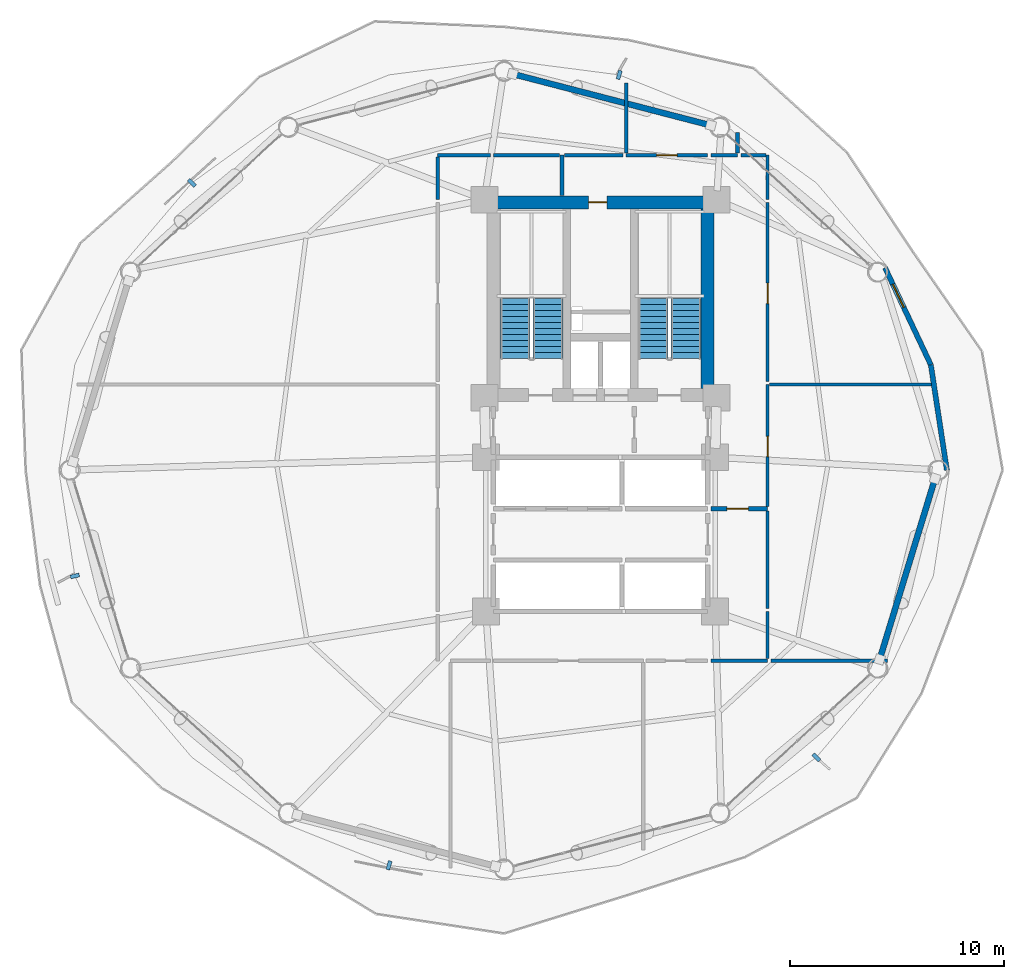
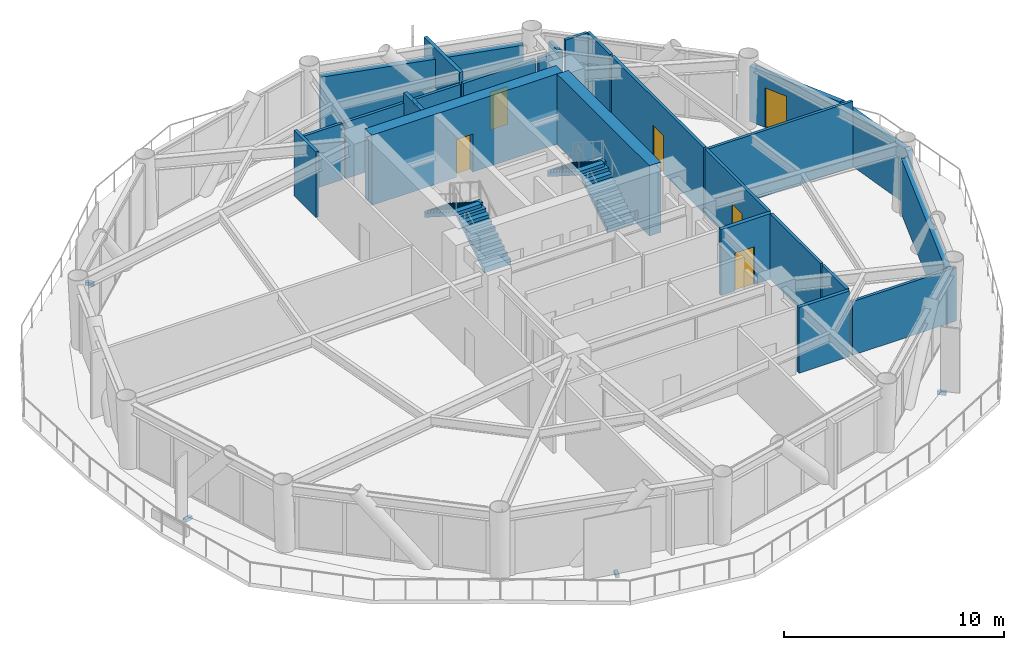
# One storey, part 20 of 23: 25 walls, 6 doors, 5 discrete accessories, 4 stair flights, 6 openings, 2 elements without a shape of their own.
"""IFC4 building model written with IfcOpenShell, lengths in metres."""

from ifc_helpers import new_model, si_unit, direction, frame, frame_2d, origin, origin_2d, place, context, subcontext, project, spatial, polyline, rectangle, outline, extrude, source, transform, mapped, material, layer, layer_set, type_object, type_shapes, element, fill, aggregate, save


model = new_model("IFC4")

# Units and contexts
model_context = context("Model", 3, precision=1e-05, world=origin(), true_north=direction((0.0, 1.0)))
body_context = subcontext(model_context, "Body", "Model", "MODEL_VIEW")
ifc_project = project(units=[si_unit("LENGTHUNIT", "METRE"), si_unit("AREAUNIT", "SQUARE_METRE"), si_unit("VOLUMEUNIT", "CUBIC_METRE"), si_unit("PLANEANGLEUNIT", "RADIAN"), si_unit("MASSUNIT", "GRAM", prefix="KILO")], contexts=[model_context])

# Site, building, storey
site_placement = place(None, origin())
site = spatial("IfcSite", under=ifc_project, at=site_placement, CompositionType="ELEMENT")
building_placement = place(site_placement, origin())
building = spatial("IfcBuilding", under=site, at=building_placement, Name="Varnakorn Sky Granary", CompositionType="ELEMENT")
storey_placement = place(building_placement, frame((0.0, 0.0, 31.5)))
storey = spatial("IfcBuildingStorey", under=building, at=storey_placement, Name="L07", CompositionType="ELEMENT", Elevation=31.5)

# Wall, opening, door
ifc_material_1 = material(Name="Concrete C60/75", Category="concrete")
ifc_layer_1 = layer(ifc_material_1, 0.60009765625, Name="Concrete C60/75")
ifc_layer_set_1 = layer_set([ifc_layer_1], Name="Concrete C60/75")
wall_type_1 = type_object("IfcWallType", Name="WT-CW-SHEAR-600", PredefinedType="SHEAR", material=ifc_layer_set_1)
wall_1_placement = place(storey_placement, frame((-2.0, 12.5, 0.0), z_axis=(0.0, 0.0, 1.0), x_axis=(1.0, 0.0, 0.0)))
wall_1 = element("IfcWall", 1, at=wall_1_placement, inside=storey, type_object=wall_type_1, Name="Core North Shear Wall L07", PredefinedType="SHEAR", context=body_context, shape_type="SweptSolid", body=[
    extrude(rectangle(XDim=10.0, YDim=0.60009765625, at=frame_2d((5.0, 0.0))), origin(), (0.0, 0.0, 1.0), 3.89208984375),
])
opening_1_placement = place(wall_1_placement, frame((4.449951171875, 0.0, 0.0)))
opening_1 = element("IfcOpeningElement", 2, at=opening_1_placement, cuts=wall_1, Name="Opening FD-60N", PredefinedType="OPENING", context=body_context, shape_type="SweptSolid", body=[
    extrude(rectangle(XDim=0.85009765625, YDim=2.10009765625, at=frame_2d((0.425048828125, 1.050048828125))), frame((0.0, 0.31005859375, 0.0), z_axis=(0.0, -1.0, 0.0), x_axis=(1.0, 0.0, 0.0)), (0.0, 0.0, 1.0), 0.6201171875),
])
ifc_material_2 = material(Name="Acoustic Timber Fire Leaf", Category="wood")
door_type_1 = type_object("IfcDoorType", Name="DR-FD60-850", OperationType="NOTDEFINED", PredefinedType="DOOR", material=ifc_material_2)
door_1_placement = place(opening_1_placement, origin())
door_1 = element("IfcDoor", 3, at=door_1_placement, inside=storey, type_object=door_type_1, Name="Core North Service Door L07", OperationType="SINGLE_SWING_LEFT", OverallHeight=2.10009765625, OverallWidth=0.85009765625, PredefinedType="DOOR", context=body_context, shape_type="SweptSolid", body=[
    extrude(rectangle(XDim=0.85009765625, YDim=2.10009765625, at=frame_2d((0.425048828125, 1.050048828125))), frame((0.0, 0.02490234375, 0.0), z_axis=(0.0, -1.0, 0.0), x_axis=(1.0, 0.0, 0.0)), (0.0, 0.0, 1.0), 0.050048828125),
])
fill(opening_1, door_1)

# Walls
wall_2_placement = place(storey_placement, frame((8.0, 3.81005859375, 0.0), z_axis=(0.0, 0.0, 1.0), x_axis=(0.0, 1.0, 0.0)))
element("IfcWall", 4, at=wall_2_placement, inside=storey, type_object=wall_type_1, Name="Core East Shear Wall L07", PredefinedType="SHEAR", context=body_context, shape_type="SweptSolid", body=[
    extrude(rectangle(XDim=8.3798828125, YDim=0.60009765625, at=frame_2d((4.18994140625, 0.0))), origin(), (0.0, 0.0, 1.0), 3.89208984375),
])
ifc_material_3 = material(Name="Precast concrete C40/50", Category="concrete")
ifc_layer_2 = layer(ifc_material_3, 0.239990234375, Name="Precast concrete C40/50")
ifc_layer_set_2 = layer_set([ifc_layer_2], Name="Precast concrete C40/50")
wall_type_2 = type_object("IfcWallType", Name="WT-EW-BAL-260", PredefinedType="SOLIDWALL", material=ifc_layer_set_2)
wall_3_placement = place(storey_placement, frame((18.42041015625, 4.91259765625, 0.0), z_axis=(0.0, 0.0, 1.0), x_axis=(0.150439909191, -0.988619155045, 0.0)))
element("IfcWall", 5, at=wall_3_placement, inside=storey, type_object=wall_type_2, Name="Balcony Threshold Facade Wall L07-B01A", PredefinedType="SOLIDWALL", context=body_context, shape_type="SweptSolid", body=[
    extrude(rectangle(XDim=4.96923828125, YDim=0.239990234375, at=frame_2d((2.484619140625, 0.0))), origin(), (0.0, 0.0, 1.0), 3.06005859375),
])

# Wall, opening, door
wall_4_placement = place(storey_placement, frame((16.281982421875, 9.445556640625, 0.0), z_axis=(0.0, 0.0, 1.0), x_axis=(0.426657768769, -0.904413151358, 0.0)))
wall_4 = element("IfcWall", 6, at=wall_4_placement, inside=storey, type_object=wall_type_2, Name="Balcony Return Facade Wall L07-B01B", PredefinedType="SOLIDWALL", context=body_context, shape_type="SweptSolid", body=[
    extrude(rectangle(XDim=5.011962890625, YDim=0.239990234375, at=frame_2d((2.505859375, 0.0))), origin(), (0.0, 0.0, 1.0), 3.06005859375),
])
opening_2_placement = place(wall_4_placement, frame((0.85009765625, 0.0, 0.0)))
opening_2 = element("IfcOpeningElement", 7, at=opening_2_placement, cuts=wall_4, Name="Opening BD-01", PredefinedType="OPENING", context=body_context, shape_type="SweptSolid", body=[
    extrude(rectangle(XDim=1.199951171875, YDim=2.199951171875, at=frame_2d((0.60009765625, 1.10009765625))), frame((0.0, 0.1298828125, 0.0), z_axis=(0.0, -1.0, 0.0), x_axis=(1.0, 0.0, 0.0)), (0.0, 0.0, 1.0), 0.260009765625),
])
ifc_material_4 = material(Name="Anodised Bronze Aluminium Alloy 6063-T6", Category="aluminium")
door_type_2 = type_object("IfcDoorType", Name="DR-BAL-1200", OperationType="NOTDEFINED", PredefinedType="DOOR", material=ifc_material_4)
door_2_placement = place(opening_2_placement, origin())
door_2 = element("IfcDoor", 8, at=door_2_placement, inside=storey, type_object=door_type_2, Name="Sky-Farm Balcony Access Door L07", OperationType="SINGLE_SWING_LEFT", OverallHeight=2.199951171875, OverallWidth=1.199951171875, PredefinedType="DOOR", context=body_context, shape_type="SweptSolid", body=[
    extrude(rectangle(XDim=1.199951171875, YDim=2.199951171875, at=frame_2d((0.60009765625, 1.10009765625))), frame((0.0, 0.02490234375, 0.0), z_axis=(0.0, -1.0, 0.0), x_axis=(1.0, 0.0, 0.0)), (0.0, 0.0, 1.0), 0.050048828125),
])
fill(opening_2, door_2)

# Walls
ifc_layer_3 = layer(ifc_material_3, 0.280029296875, Name="Precast concrete C40/50")
ifc_layer_set_3 = layer_set([ifc_layer_3], Name="Precast concrete C40/50")
wall_type_3 = type_object("IfcWallType", Name="WT-EW-CRN-280", PredefinedType="SOLIDWALL", material=ifc_layer_set_3)
wall_5_placement = place(storey_placement, frame((-1.101318359375, 18.492431640625, 0.0), z_axis=(0.0, 0.0, 1.0), x_axis=(0.967947019929, -0.251154467629, 0.0)))
element("IfcWall", 9, at=wall_5_placement, inside=storey, type_object=wall_type_3, Name="Agritech Insulated Precast Facade Wall L07-P03", PredefinedType="SOLIDWALL", context=body_context, shape_type="SweptSolid", body=[
    extrude(rectangle(XDim=9.560302734375, YDim=0.280029296875, at=frame_2d((4.7802734375, 0.0))), origin(), (0.0, 0.0, 1.0), 3.06005859375),
])
wall_6_placement = place(storey_placement, frame((18.6171875, -0.393798828125, 0.0), z_axis=(0.0, 0.0, 1.0), x_axis=(-0.292933523891, -0.956132810116, 0.0)))
element("IfcWall", 10, at=wall_6_placement, inside=storey, type_object=wall_type_3, Name="Agritech Insulated Precast Facade Wall L07-P12", PredefinedType="SOLIDWALL", context=body_context, shape_type="SweptSolid", body=[
    extrude(rectangle(XDim=8.830322265625, YDim=0.280029296875, at=frame_2d((4.4150390625, 0.0))), origin(), (0.0, 0.0, 1.0), 3.06005859375),
])

# Wall, opening, door
ifc_material_5 = material(Name="Autoclaved Aerated Concrete Blockwork", Category="masonry")
ifc_layer_4 = layer(ifc_material_5, 0.199951171875, Name="Autoclaved Aerated Concrete Blockwork")
ifc_layer_set_4 = layer_set([ifc_layer_4], Name="Autoclaved Aerated Concrete Blockwork")
wall_type_4 = type_object("IfcWallType", Name="WT-FIRE-200", PredefinedType="MOVABLE", material=ifc_layer_set_4)
wall_7_placement = place(storey_placement, frame((8.159912109375, -1.800048828125, 0.0), z_axis=(0.0, 0.0, 1.0), x_axis=(1.0, 0.0, 0.0)))
wall_7 = element("IfcWall", 11, at=wall_7_placement, inside=storey, type_object=wall_type_4, Name="Interior Partition Wall L07-021", PredefinedType="MOVABLE", context=body_context, shape_type="SweptSolid", body=[
    extrude(rectangle(XDim=2.64013671875, YDim=0.199951171875, at=frame_2d((1.320068359375, 0.0))), origin(), (0.0, 0.0, 1.0), 3.639892578125),
])
opening_3_placement = place(wall_7_placement, frame((0.739990234375, 0.0, 0.0)))
opening_3 = element("IfcOpeningElement", 12, at=opening_3_placement, cuts=wall_7, Name="Opening FD-60", PredefinedType="OPENING", context=body_context, shape_type="SweptSolid", body=[
    extrude(rectangle(XDim=1.0, YDim=2.10009765625, at=frame_2d((0.5, 1.050048828125))), frame((0.0, 0.10986328125, 0.0), z_axis=(0.0, -1.0, 0.0), x_axis=(1.0, 0.0, 0.0)), (0.0, 0.0, 1.0), 0.219970703125),
])
door_type_3 = type_object("IfcDoorType", Name="DR-FD60-1000", OperationType="NOTDEFINED", PredefinedType="DOOR", material=ifc_material_2)
door_3_placement = place(opening_3_placement, origin())
door_3 = element("IfcDoor", 13, at=door_3_placement, inside=storey, type_object=door_type_3, Name="Interior Door L07-021-1", OperationType="SINGLE_SWING_LEFT", OverallHeight=2.10009765625, OverallWidth=1.0, PredefinedType="DOOR", context=body_context, shape_type="SweptSolid", body=[
    extrude(rectangle(XDim=1.0, YDim=2.10009765625, at=frame_2d((0.5, 1.050048828125))), frame((0.0, 0.02490234375, 0.0), z_axis=(0.0, -1.0, 0.0), x_axis=(1.0, 0.0, 0.0)), (0.0, 0.0, 1.0), 0.050048828125),
])
fill(opening_3, door_3)

# Wall
wall_8_placement = place(storey_placement, frame((1.199951171875, 14.699951171875, 0.0), z_axis=(0.0, 0.0, 1.0), x_axis=(0.0, -1.0, 0.0)))
element("IfcWall", 14, at=wall_8_placement, inside=storey, type_object=wall_type_4, Name="Interior Partition Wall L07-030", PredefinedType="MOVABLE", context=body_context, shape_type="SweptSolid", body=[
    extrude(rectangle(XDim=1.889892578125, YDim=0.199951171875, at=frame_2d((0.94482421875, 0.0))), origin(), (0.0, 0.0, 1.0), 3.639892578125),
])

# Wall, opening, door
ifc_material_6 = material(Name="Gypsum Plasterboard on Steel Stud", Category="steel")
ifc_layer_5 = layer(ifc_material_6, 0.14990234375, Name="Gypsum Plasterboard on Steel Stud")
ifc_layer_set_5 = layer_set([ifc_layer_5], Name="Gypsum Plasterboard on Steel Stud")
wall_type_5 = type_object("IfcWallType", Name="WT-PART-150", PredefinedType="PARTITIONING", material=ifc_layer_set_5)
wall_9_placement = place(storey_placement, frame((10.800048828125, -1.68994140625, 0.0), z_axis=(0.0, 0.0, 1.0), x_axis=(0.0, 1.0, 0.0)))
wall_9 = element("IfcWall", 15, at=wall_9_placement, inside=storey, type_object=wall_type_5, Name="Interior Partition Wall L07-026", PredefinedType="PARTITIONING", context=body_context, shape_type="SweptSolid", body=[
    extrude(rectangle(XDim=5.68994140625, YDim=0.14990234375, at=frame_2d((2.844970703125, 0.0))), origin(), (0.0, 0.0, 1.0), 3.639892578125),
])
opening_4_placement = place(wall_9_placement, frame((2.31494140625, 0.0, 0.0)))
opening_4 = element("IfcOpeningElement", 16, at=opening_4_placement, cuts=wall_9, Name="Opening ID-95", PredefinedType="OPENING", context=body_context, shape_type="SweptSolid", body=[
    extrude(rectangle(XDim=0.949951171875, YDim=2.10009765625, at=frame_2d((0.47509765625, 1.050048828125))), frame((0.0, 0.0849609375, 0.0), z_axis=(0.0, -1.0, 0.0), x_axis=(1.0, 0.0, 0.0)), (0.0, 0.0, 1.0), 0.169921875),
])
ifc_material_7 = material(Name="Solid-Core Teak Veneer Leaf", Category="timber")
door_type_4 = type_object("IfcDoorType", Name="DR-INT-950", OperationType="NOTDEFINED", PredefinedType="DOOR", material=ifc_material_7)
door_4_placement = place(opening_4_placement, origin())
door_4 = element("IfcDoor", 17, at=door_4_placement, inside=storey, type_object=door_type_4, Name="Interior Door L07-026-1", OperationType="SINGLE_SWING_RIGHT", OverallHeight=2.10009765625, OverallWidth=0.949951171875, PredefinedType="DOOR", context=body_context, shape_type="SweptSolid", body=[
    extrude(rectangle(XDim=0.949951171875, YDim=2.10009765625, at=frame_2d((0.47509765625, 1.050048828125))), frame((0.0, 0.02490234375, 0.0), z_axis=(0.0, -1.0, 0.0), x_axis=(1.0, 0.0, 0.0)), (0.0, 0.0, 1.0), 0.050048828125),
])
fill(opening_4, door_4)

wall_10_placement = place(storey_placement, frame((10.800048828125, 4.135009765625, 0.0), z_axis=(0.0, 0.0, 1.0), x_axis=(0.0, 1.0, 0.0)))
wall_10 = element("IfcWall", 18, at=wall_10_placement, inside=storey, type_object=wall_type_5, Name="Interior Partition Wall L07-028", PredefinedType="PARTITIONING", context=body_context, shape_type="SweptSolid", body=[
    extrude(rectangle(XDim=8.364990234375, YDim=0.14990234375, at=frame_2d((4.1826171875, 0.0))), origin(), (0.0, 0.0, 1.0), 3.639892578125),
])
opening_5_placement = place(wall_10_placement, frame((3.639892578125, 0.0, 0.0)))
opening_5 = element("IfcOpeningElement", 19, at=opening_5_placement, cuts=wall_10, Name="Opening ID-95", PredefinedType="OPENING", context=body_context, shape_type="SweptSolid", body=[
    extrude(rectangle(XDim=0.949951171875, YDim=2.10009765625, at=frame_2d((0.47509765625, 1.050048828125))), frame((0.0, 0.0849609375, 0.0), z_axis=(0.0, -1.0, 0.0), x_axis=(1.0, 0.0, 0.0)), (0.0, 0.0, 1.0), 0.169921875),
])
door_5_placement = place(opening_5_placement, origin())
door_5 = element("IfcDoor", 20, at=door_5_placement, inside=storey, type_object=door_type_4, Name="Interior Door L07-028-1", OperationType="SINGLE_SWING_RIGHT", OverallHeight=2.10009765625, OverallWidth=0.949951171875, PredefinedType="DOOR", context=body_context, shape_type="SweptSolid", body=[
    extrude(rectangle(XDim=0.949951171875, YDim=2.10009765625, at=frame_2d((0.47509765625, 1.050048828125))), frame((0.0, 0.02490234375, 0.0), z_axis=(0.0, -1.0, 0.0), x_axis=(1.0, 0.0, 0.0)), (0.0, 0.0, 1.0), 0.050048828125),
])
fill(opening_5, door_5)

# Walls
wall_11_placement = place(storey_placement, frame((10.949951171875, -8.89990234375, 0.0), z_axis=(0.0, 0.0, 1.0), x_axis=(1.0, 0.0, 0.0)))
element("IfcWall", 21, at=wall_11_placement, inside=storey, type_object=wall_type_5, Name="Interior Partition Wall L07-036", PredefinedType="PARTITIONING", context=body_context, shape_type="SweptSolid", body=[
    extrude(rectangle(XDim=5.45703125, YDim=0.14990234375, at=frame_2d((2.728515625, 0.0))), origin(), (0.0, 0.0, 1.0), 2.971923828125),
])
wall_12_placement = place(storey_placement, frame((10.800048828125, -8.800048828125, 0.0), z_axis=(0.0, 0.0, 1.0), x_axis=(0.0, 1.0, 0.0)))
element("IfcWall", 22, at=wall_12_placement, inside=storey, type_object=wall_type_5, Name="Interior Partition Wall L07-039", PredefinedType="PARTITIONING", context=body_context, shape_type="SweptSolid", body=[
    extrude(rectangle(XDim=2.199951171875, YDim=0.14990234375, at=frame_2d((1.10009765625, 0.0))), origin(), (0.0, 0.0, 1.0), 3.639892578125),
])
wall_13_placement = place(storey_placement, frame((10.800048828125, -6.465087890625, 0.0), z_axis=(0.0, 0.0, 1.0), x_axis=(0.0, 1.0, 0.0)))
element("IfcWall", 23, at=wall_13_placement, inside=storey, type_object=wall_type_5, Name="Interior Partition Wall L07-040", PredefinedType="PARTITIONING", context=body_context, shape_type="SweptSolid", body=[
    extrude(rectangle(XDim=4.55517578125, YDim=0.14990234375, at=frame_2d((2.277587890625, 0.0))), origin(), (0.0, 0.0, 1.0), 3.639892578125),
])
wall_14_placement = place(storey_placement, frame((10.885009765625, 4.0, 0.0), z_axis=(0.0, 0.0, 1.0), x_axis=(1.0, 0.0, 0.0)))
element("IfcWall", 24, at=wall_14_placement, inside=storey, type_object=wall_type_5, Name="Interior Partition Wall L07-041", PredefinedType="PARTITIONING", context=body_context, shape_type="SweptSolid", body=[
    extrude(rectangle(XDim=7.553955078125, YDim=0.14990234375, at=frame_2d((3.77685546875, 0.0))), origin(), (0.0, 0.0, 1.0), 3.639892578125),
])
wall_15_placement = place(storey_placement, frame((1.090087890625, 14.699951171875, 0.0), z_axis=(0.0, 0.0, 1.0), x_axis=(-1.0, 0.0, 0.0)))
element("IfcWall", 25, at=wall_15_placement, inside=storey, type_object=wall_type_5, Name="Interior Partition Wall L07-042", PredefinedType="PARTITIONING", context=body_context, shape_type="SweptSolid", body=[
    extrude(rectangle(XDim=3.090087890625, YDim=0.14990234375, at=frame_2d((1.544921875, 0.0))), origin(), (0.0, 0.0, 1.0), 3.1220703125),
])
wall_16_placement = place(storey_placement, frame((-2.135009765625, 14.699951171875, 0.0), z_axis=(0.0, 0.0, 1.0), x_axis=(-1.0, 0.0, 0.0)))
element("IfcWall", 26, at=wall_16_placement, inside=storey, type_object=wall_type_5, Name="Interior Partition Wall L07-043", PredefinedType="PARTITIONING", context=body_context, shape_type="SweptSolid", body=[
    extrude(rectangle(XDim=2.465087890625, YDim=0.14990234375, at=frame_2d((1.232421875, 0.0))), origin(), (0.0, 0.0, 1.0), 3.1220703125),
])
wall_17_placement = place(storey_placement, frame((-4.60009765625, 14.614990234375, 0.0), z_axis=(0.0, 0.0, 1.0), x_axis=(0.0, -1.0, 0.0)))
element("IfcWall", 27, at=wall_17_placement, inside=storey, type_object=wall_type_5, Name="Interior Partition Wall L07-044", PredefinedType="PARTITIONING", context=body_context, shape_type="SweptSolid", body=[
    extrude(rectangle(XDim=1.97998046875, YDim=0.14990234375, at=frame_2d((0.989990234375, 0.0))), origin(), (0.0, 0.0, 1.0), 3.639892578125),
])
wall_18_placement = place(storey_placement, frame((4.050048828125, 14.699951171875, 0.0), z_axis=(0.0, 0.0, 1.0), x_axis=(-1.0, 0.0, 0.0)))
element("IfcWall", 28, at=wall_18_placement, inside=storey, type_object=wall_type_5, Name="Interior Partition Wall L07-045", PredefinedType="PARTITIONING", context=body_context, shape_type="SweptSolid", body=[
    extrude(rectangle(XDim=2.739990234375, YDim=0.14990234375, at=frame_2d((1.3701171875, 0.0))), origin(), (0.0, 0.0, 1.0), 3.1220703125),
])
wall_19_placement = place(storey_placement, frame((10.800048828125, 12.635009765625, 0.0), z_axis=(0.0, 0.0, 1.0), x_axis=(0.0, 1.0, 0.0)))
element("IfcWall", 29, at=wall_19_placement, inside=storey, type_object=wall_type_5, Name="Interior Partition Wall L07-047", PredefinedType="PARTITIONING", context=body_context, shape_type="SweptSolid", body=[
    extrude(rectangle(XDim=2.06494140625, YDim=0.14990234375, at=frame_2d((1.032470703125, 0.0))), origin(), (0.0, 0.0, 1.0), 3.639892578125),
])
wall_20_placement = place(storey_placement, frame((10.715087890625, 14.699951171875, 0.0), z_axis=(0.0, 0.0, 1.0), x_axis=(-1.0, 0.0, 0.0)))
element("IfcWall", 30, at=wall_20_placement, inside=storey, type_object=wall_type_5, Name="Interior Partition Wall L07-048", PredefinedType="PARTITIONING", context=body_context, shape_type="SweptSolid", body=[
    extrude(rectangle(XDim=1.1650390625, YDim=0.14990234375, at=frame_2d((0.58251953125, 0.0))), origin(), (0.0, 0.0, 1.0), 3.639892578125),
])

# Wall, opening, door
ifc_material_8 = material(Name="Moisture-Resistant Gypsum on Stud", Category="gypsum")
ifc_layer_6 = layer(ifc_material_8, 0.179931640625, Name="Moisture-Resistant Gypsum on Stud")
ifc_layer_set_6 = layer_set([ifc_layer_6], Name="Moisture-Resistant Gypsum on Stud")
wall_type_6 = type_object("IfcWallType", Name="WT-PLUMB-180", PredefinedType="PLUMBINGWALL", material=ifc_layer_set_6)
wall_21_placement = place(storey_placement, frame((8.0, 14.699951171875, 0.0), z_axis=(0.0, 0.0, 1.0), x_axis=(-1.0, 0.0, 0.0)))
wall_21 = element("IfcWall", 31, at=wall_21_placement, inside=storey, type_object=wall_type_6, Name="Interior Partition Wall L07-022", PredefinedType="PLUMBINGWALL", context=body_context, shape_type="SweptSolid", body=[
    extrude(rectangle(XDim=3.800048828125, YDim=0.179931640625, at=frame_2d((1.89990234375, 0.0))), origin(), (0.0, 0.0, 1.0), 3.1220703125),
])
opening_6_placement = place(wall_21_placement, frame((1.425048828125, 0.0, 0.0)))
opening_6 = element("IfcOpeningElement", 32, at=opening_6_placement, cuts=wall_21, Name="Opening ID-95", PredefinedType="OPENING", context=body_context, shape_type="SweptSolid", body=[
    extrude(rectangle(XDim=0.949951171875, YDim=2.10009765625, at=frame_2d((0.47509765625, 1.050048828125))), frame((0.0, 0.10009765625, 0.0), z_axis=(0.0, -1.0, 0.0), x_axis=(1.0, 0.0, 0.0)), (0.0, 0.0, 1.0), 0.199951171875),
])
door_6_placement = place(opening_6_placement, origin())
door_6 = element("IfcDoor", 33, at=door_6_placement, inside=storey, type_object=door_type_4, Name="Interior Door L07-022-1", OperationType="SINGLE_SWING_RIGHT", OverallHeight=2.10009765625, OverallWidth=0.949951171875, PredefinedType="DOOR", context=body_context, shape_type="SweptSolid", body=[
    extrude(rectangle(XDim=0.949951171875, YDim=2.10009765625, at=frame_2d((0.47509765625, 1.050048828125))), frame((0.0, 0.02490234375, 0.0), z_axis=(0.0, -1.0, 0.0), x_axis=(1.0, 0.0, 0.0)), (0.0, 0.0, 1.0), 0.050048828125),
])
fill(opening_6, door_6)

# Walls
wall_22_placement = place(storey_placement, frame((9.39990234375, 14.699951171875, 0.0), z_axis=(0.0, 0.0, 1.0), x_axis=(-1.0, 0.0, 0.0)))
element("IfcWall", 34, at=wall_22_placement, inside=storey, type_object=wall_type_6, Name="Interior Partition Wall L07-031", PredefinedType="PLUMBINGWALL", context=body_context, shape_type="SweptSolid", body=[
    extrude(rectangle(XDim=1.25, YDim=0.179931640625, at=frame_2d((0.625, 0.0))), origin(), (0.0, 0.0, 1.0), 3.1220703125),
])
wall_23_placement = place(storey_placement, frame((8.14990234375, -8.89990234375, 0.0), z_axis=(0.0, 0.0, 1.0), x_axis=(1.0, 0.0, 0.0)))
element("IfcWall", 35, at=wall_23_placement, inside=storey, type_object=wall_type_6, Name="Interior Partition Wall L07-035", PredefinedType="PLUMBINGWALL", context=body_context, shape_type="SweptSolid", body=[
    extrude(rectangle(XDim=2.650146484375, YDim=0.179931640625, at=frame_2d((1.3251953125, 0.0))), origin(), (0.0, 0.0, 1.0), 3.639892578125),
])
wall_24_placement = place(storey_placement, frame((4.199951171875, 18.06103515625, 0.0), z_axis=(0.0, 0.0, 1.0), x_axis=(0.0, -1.0, 0.0)))
element("IfcWall", 36, at=wall_24_placement, inside=storey, type_object=wall_type_6, Name="Interior Partition Wall L07-046", PredefinedType="PLUMBINGWALL", context=body_context, shape_type="SweptSolid", body=[
    extrude(rectangle(XDim=3.260986328125, YDim=0.179931640625, at=frame_2d((1.63037109375, 0.0))), origin(), (0.0, 0.0, 1.0), 3.639892578125),
])
wall_25_placement = place(storey_placement, frame((9.39990234375, 14.800048828125, 0.0), z_axis=(0.0, 0.0, 1.0), x_axis=(0.0, 1.0, 0.0)))
element("IfcWall", 37, at=wall_25_placement, inside=storey, type_object=wall_type_6, Name="Interior Partition Wall L07-049", PredefinedType="PLUMBINGWALL", context=body_context, shape_type="SweptSolid", body=[
    extrude(rectangle(XDim=0.9580078125, YDim=0.179931640625, at=frame_2d((0.47900390625, 0.0))), origin(), (0.0, 0.0, 1.0), 2.971923828125),
])

# Stair, stair flights
ifc_material_9 = material(Name="Concrete C40/50", Category="concrete")
stair_type = type_object("IfcStairType", Name="ST-MAIN-ASSEMBLY", PredefinedType="HALF_TURN_STAIR", material=ifc_material_9)
stair_1_placement = place(storey_placement, origin())
stair_1 = element("IfcStair", 38, at=stair_1_placement, inside=storey, type_object=stair_type, Name="L07 Protected Exit Stair ST-1", PredefinedType="HALF_TURN_STAIR")
stair_flight_type = type_object("IfcStairFlightType", Name="ST-MAIN-FLIGHT", PredefinedType="STRAIGHT", material=ifc_material_9)
stair_flight_1_placement = place(storey_placement, frame((0.550048828125, 5.199951171875, 0.0), z_axis=(0.0, 0.0, 1.0), x_axis=(0.0, 1.0, 0.0)))
stair_flight_1 = element("IfcStairFlight", 39, at=stair_flight_1_placement, type_object=stair_flight_type, Name="ST-1 flight 1", NumberOfRisers=11, NumberOfTreads=10, PredefinedType="STRAIGHT", RiserHeight=0.177272727, TreadLength=0.28, context=body_context, shape_type="SweptSolid", body=[
    extrude(outline(polyline([(0.0, -0.14990234375), (0.0, 0.0), (0.0, 0.17724609375), (0.280029296875, 0.17724609375), (0.280029296875, 0.3544921875), (0.56005859375, 0.3544921875), (0.56005859375, 0.53173828125), (0.840087890625, 0.53173828125), (0.840087890625, 0.708984375), (1.1201171875, 0.708984375), (1.1201171875, 0.886474609375), (1.39990234375, 0.886474609375), (1.39990234375, 1.063720703125), (1.679931640625, 1.063720703125), (1.679931640625, 1.240966796875), (1.9599609375, 1.240966796875), (1.9599609375, 1.418212890625), (2.239990234375, 1.418212890625), (2.239990234375, 1.595458984375), (2.52001953125, 1.595458984375), (2.52001953125, 1.772705078125), (2.800048828125, 1.772705078125), (2.800048828125, 1.949951171875), (2.800048828125, 1.59521484375), (0.050048828125, -0.14990234375), (0.0, -0.14990234375)])), frame((0.0, 0.68994140625, 0.0), z_axis=(0.0, -1.0, 0.0), x_axis=(1.0, 0.0, 0.0)), (0.0, 0.0, 1.0), 1.3798828125),
])
stair_flight_2_placement = place(storey_placement, frame((-0.97998046875, 8.0, 1.949951171875), z_axis=(0.0, 0.0, 1.0), x_axis=(0.0, -1.0, 0.0)))
stair_flight_2 = element("IfcStairFlight", 40, at=stair_flight_2_placement, type_object=stair_flight_type, Name="ST-1 flight 2", NumberOfRisers=11, NumberOfTreads=10, PredefinedType="STRAIGHT", RiserHeight=0.177272727, TreadLength=0.28, context=body_context, shape_type="SweptSolid", body=[
    extrude(outline(polyline([(0.0, -0.14990234375), (0.0, 0.0), (0.0, 0.17724609375), (0.280029296875, 0.17724609375), (0.280029296875, 0.3544921875), (0.56005859375, 0.3544921875), (0.56005859375, 0.53173828125), (0.840087890625, 0.53173828125), (0.840087890625, 0.708984375), (1.1201171875, 0.708984375), (1.1201171875, 0.886474609375), (1.39990234375, 0.886474609375), (1.39990234375, 1.063720703125), (1.679931640625, 1.063720703125), (1.679931640625, 1.240966796875), (1.9599609375, 1.240966796875), (1.9599609375, 1.418212890625), (2.239990234375, 1.418212890625), (2.239990234375, 1.595458984375), (2.52001953125, 1.595458984375), (2.52001953125, 1.772705078125), (2.800048828125, 1.772705078125), (2.800048828125, 1.949951171875), (2.800048828125, 1.59521484375), (0.050048828125, -0.14990234375), (0.0, -0.14990234375)])), frame((0.0, 0.68994140625, 0.0), z_axis=(0.0, -1.0, 0.0), x_axis=(1.0, 0.0, 0.0)), (0.0, 0.0, 1.0), 1.3798828125),
])
aggregate(stair_1, [stair_flight_1, stair_flight_2])

stair_2_placement = place(storey_placement, origin())
stair_2 = element("IfcStair", 41, at=stair_2_placement, inside=storey, type_object=stair_type, Name="L07 Protected Exit Stair ST-2", PredefinedType="HALF_TURN_STAIR")
stair_flight_3_placement = place(storey_placement, frame((6.989990234375, 5.199951171875, 0.0), z_axis=(0.0, 0.0, 1.0), x_axis=(0.0, 1.0, 0.0)))
stair_flight_3 = element("IfcStairFlight", 42, at=stair_flight_3_placement, type_object=stair_flight_type, Name="ST-2 flight 1", NumberOfRisers=11, NumberOfTreads=10, PredefinedType="STRAIGHT", RiserHeight=0.177272727, TreadLength=0.28, context=body_context, shape_type="SweptSolid", body=[
    extrude(outline(polyline([(0.0, -0.14990234375), (0.0, 0.0), (0.0, 0.17724609375), (0.280029296875, 0.17724609375), (0.280029296875, 0.3544921875), (0.56005859375, 0.3544921875), (0.56005859375, 0.53173828125), (0.840087890625, 0.53173828125), (0.840087890625, 0.708984375), (1.1201171875, 0.708984375), (1.1201171875, 0.886474609375), (1.39990234375, 0.886474609375), (1.39990234375, 1.063720703125), (1.679931640625, 1.063720703125), (1.679931640625, 1.240966796875), (1.9599609375, 1.240966796875), (1.9599609375, 1.418212890625), (2.239990234375, 1.418212890625), (2.239990234375, 1.595458984375), (2.52001953125, 1.595458984375), (2.52001953125, 1.772705078125), (2.800048828125, 1.772705078125), (2.800048828125, 1.949951171875), (2.800048828125, 1.59521484375), (0.050048828125, -0.14990234375), (0.0, -0.14990234375)])), frame((0.0, 0.68994140625, 0.0), z_axis=(0.0, -1.0, 0.0), x_axis=(1.0, 0.0, 0.0)), (0.0, 0.0, 1.0), 1.3798828125),
])
stair_flight_4_placement = place(storey_placement, frame((5.4599609375, 8.0, 1.949951171875), z_axis=(0.0, 0.0, 1.0), x_axis=(0.0, -1.0, 0.0)))
stair_flight_4 = element("IfcStairFlight", 43, at=stair_flight_4_placement, type_object=stair_flight_type, Name="ST-2 flight 2", NumberOfRisers=11, NumberOfTreads=10, PredefinedType="STRAIGHT", RiserHeight=0.177272727, TreadLength=0.28, context=body_context, shape_type="SweptSolid", body=[
    extrude(outline(polyline([(0.0, -0.14990234375), (0.0, 0.0), (0.0, 0.17724609375), (0.280029296875, 0.17724609375), (0.280029296875, 0.3544921875), (0.56005859375, 0.3544921875), (0.56005859375, 0.53173828125), (0.840087890625, 0.53173828125), (0.840087890625, 0.708984375), (1.1201171875, 0.708984375), (1.1201171875, 0.886474609375), (1.39990234375, 0.886474609375), (1.39990234375, 1.063720703125), (1.679931640625, 1.063720703125), (1.679931640625, 1.240966796875), (1.9599609375, 1.240966796875), (1.9599609375, 1.418212890625), (2.239990234375, 1.418212890625), (2.239990234375, 1.595458984375), (2.52001953125, 1.595458984375), (2.52001953125, 1.772705078125), (2.800048828125, 1.772705078125), (2.800048828125, 1.949951171875), (2.800048828125, 1.59521484375), (0.050048828125, -0.14990234375), (0.0, -0.14990234375)])), frame((0.0, 0.68994140625, 0.0), z_axis=(0.0, -1.0, 0.0), x_axis=(1.0, 0.0, 0.0)), (0.0, 0.0, 1.0), 1.3798828125),
])
aggregate(stair_2, [stair_flight_3, stair_flight_4])

# Discrete accessories
ifc_material_10 = material(Name="Steel S355JR", Category="steel")
discrete_accessory_type = type_object("IfcDiscreteAccessoryType", Name="AC-BRK-01", PredefinedType="BRACKET", material=ifc_material_10)
shared_shape = source(origin(), body_context, "Body", "SweptSolid", [
    extrude(rectangle(XDim=0.179931640625, YDim=0.419921875, at=origin_2d()), origin(), (0.0, 0.0, 1.0), 0.179931640625),
])
type_shapes(discrete_accessory_type, [shared_shape])
for number, where, z_axis, x_axis, name in (
    (44, (3.87109375, 18.449462890625, -0.2001953125), (0.0, 0.0, 1.0), (-0.960138889271, 0.279523368093, 0.0), "Facade Solar-Screen Outrigger Bracket L07-03"),
    (45, (-16.075439453125, 13.4072265625, -0.2001953125), (0.0, 0.0, 1.0), (-0.676998088292, -0.735984774604, 0.0), "Facade Solar-Screen Outrigger Bracket L07-05"),
    (46, (-21.536865234375, -4.94140625, -0.2001953125), (0.0, 0.0, 1.0), (0.239439126781, -0.970911378328, 0.0), "Facade Solar-Screen Outrigger Bracket L07-07"),
    (47, (-6.87109375, -18.449462890625, -0.2001953125), (0.0, 0.0, 1.0), (0.960138889271, -0.279523368093, 0.0), "Facade Solar-Screen Outrigger Bracket L07-09"),
    (48, (13.075439453125, -13.4072265625, -0.2001953125), (0.0, 0.0, 1.0), (0.676998088292, 0.735984774604, 0.0), "Facade Solar-Screen Outrigger Bracket L07-11"),
):
    element("IfcDiscreteAccessory", number, at=place(storey_placement, frame(where, z_axis=z_axis, x_axis=x_axis)), inside=storey, type_object=discrete_accessory_type, Name=name, PredefinedType="BRACKET", context=body_context, shape_type="MappedRepresentation", body=[
        mapped(shared_shape, transform((0.0, 0.0, 0.0), x_axis=(1.0, 0.0, 0.0), y_axis=(0.0, 1.0, 0.0), z_axis=(0.0, 0.0, 1.0), scale=1.0)),
    ])

save(model, "model.ifc")
